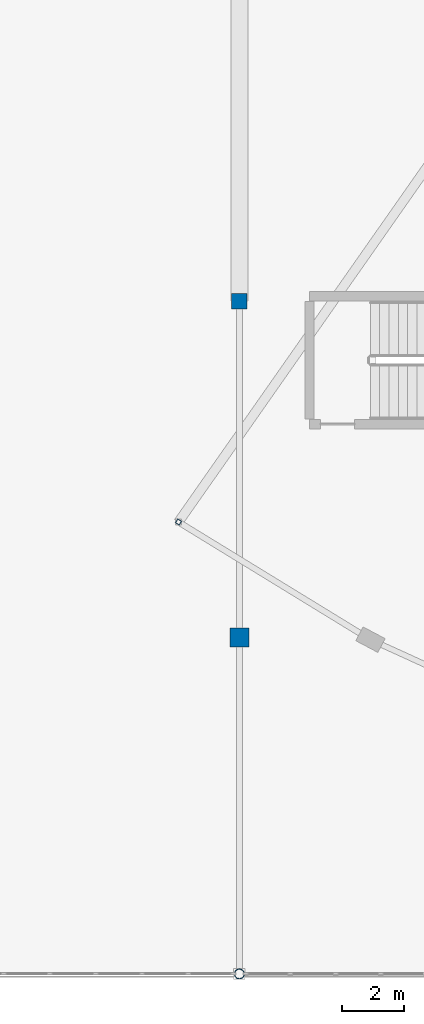
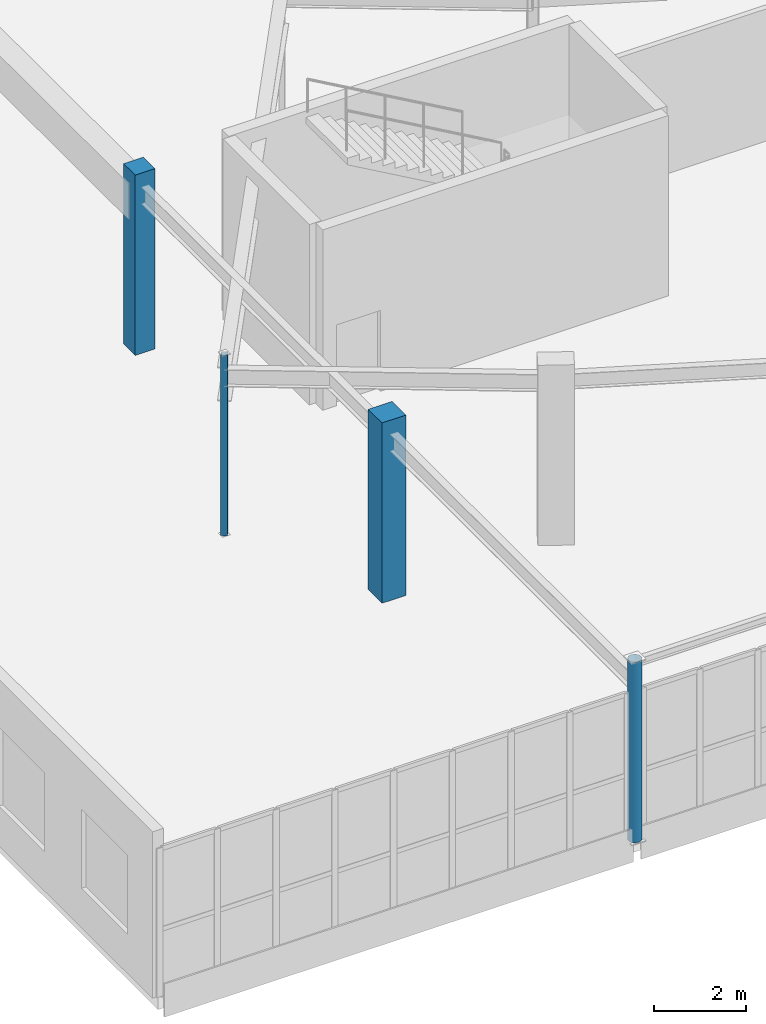
# One storey, part 1 of 186: 4 columns.
"""IFC4 building model written with IfcOpenShell, lengths in metres."""

from ifc_helpers import new_model, si_unit, direction, frame, origin, origin_2d, place, context, subcontext, project, spatial, rectangle, hollow_rectangle, hollow_circle, extrude, material, material_profile, profile_set, type_object, element, save


model = new_model("IFC4")

# Units and contexts
model_context = context("Model", 3, precision=1e-05, world=origin(), true_north=direction((0.0, 1.0)))
body_context = subcontext(model_context, "Body", "Model", "MODEL_VIEW")
ifc_project = project(units=[si_unit("LENGTHUNIT", "METRE"), si_unit("AREAUNIT", "SQUARE_METRE"), si_unit("VOLUMEUNIT", "CUBIC_METRE"), si_unit("PLANEANGLEUNIT", "RADIAN"), si_unit("MASSUNIT", "GRAM", prefix="KILO")], contexts=[model_context])

# Site, building, storey
site_placement = place(None, origin())
site = spatial("IfcSite", under=ifc_project, at=site_placement, CompositionType="ELEMENT")
building_placement = place(site_placement, origin())
building = spatial("IfcBuilding", under=site, at=building_placement, Name="Tarnwether General Hospital", CompositionType="ELEMENT")
storey_placement = place(building_placement, frame((0.0, 0.0, 9.60009765625)))
storey = spatial("IfcBuildingStorey", under=building, at=storey_placement, Name="L02", CompositionType="ELEMENT", Elevation=9.60009765625)

# Columns
ifc_material_1 = material(Name="Concrete 50 MPa", Category="concrete")
ifc_material_profile_1 = material_profile(ifc_material_1, rectangle(XDim=0.60009765625, YDim=0.60009765625, at=origin_2d()), Name="RC-COL-600x600")
ifc_profile_set_1 = profile_set([ifc_material_profile_1], Name="Concrete 50 MPa")
column_type_1 = type_object("IfcColumnType", Name="COL-19", PredefinedType="COLUMN", material=ifc_profile_set_1)
column_1_placement = place(storey_placement, frame((60.0, 10.800048828125, 0.0), z_axis=(0.0, 0.0, 1.0), x_axis=(0.0, 1.0, 0.0)))
element("IfcColumn", 1, at=column_1_placement, inside=storey, type_object=column_type_1, Name="Column COLG-L02-6000_1080", PredefinedType="COLUMN", context=body_context, shape_type="SweptSolid", body=[
    extrude(rectangle(XDim=0.60009765625, YDim=0.60009765625, at=origin_2d()), origin(), (0.0, 0.0, 1.0), 4.7998046875),
])
ifc_material_2 = material(Name="Concrete 50 MPa", Category="concrete")
ifc_material_profile_2 = material_profile(ifc_material_2, rectangle(XDim=0.5, YDim=0.5, at=origin_2d()), Name="RC-COL-500x500")
ifc_profile_set_2 = profile_set([ifc_material_profile_2], Name="Concrete 50 MPa")
column_type_2 = type_object("IfcColumnType", Name="COL-20", PredefinedType="COLUMN", material=ifc_profile_set_2)
column_2_placement = place(storey_placement, frame((60.0, 21.60009765625, 0.0), z_axis=(0.0, 0.0, 1.0), x_axis=(0.0, 1.0, 0.0)))
element("IfcColumn", 2, at=column_2_placement, inside=storey, type_object=column_type_2, Name="Column COLG-L02-6000_2160", PredefinedType="COLUMN", context=body_context, shape_type="SweptSolid", body=[
    extrude(rectangle(XDim=0.5, YDim=0.5, at=origin_2d()), origin(), (0.0, 0.0, 1.0), 4.7998046875),
])
ifc_material_3 = material(Name="Steel Grade C350L0 (350 MPa)", Category="steel")
ifc_material_profile_3 = material_profile(ifc_material_3, hollow_circle(Radius=0.161865234375, WallThickness=0.0126953125, at=origin_2d()), Name="CHS323.9x12.7")
ifc_profile_set_3 = profile_set([ifc_material_profile_3], Name="Steel Grade C350L0 (350 MPa)")
column_type_3 = type_object("IfcColumnType", Name="COL-26", PredefinedType="COLUMN", material=ifc_profile_set_3)
column_3_placement = place(storey_placement, frame((60.0, 0.0, 0.0), z_axis=(0.0, 0.0, 1.0), x_axis=(0.0, 1.0, 0.0)))
element("IfcColumn", 3, at=column_3_placement, inside=storey, type_object=column_type_3, Name="Column COLG-L02-6000_0", PredefinedType="COLUMN", context=body_context, shape_type="SweptSolid", body=[
    extrude(hollow_circle(Radius=0.161865234375, WallThickness=0.0126953125, at=origin_2d()), origin(), (0.0, 0.0, 1.0), 4.7998046875),
])
ifc_material_4 = material(Name="Steel Grade C350L0 (350 MPa)", Category="steel")
ifc_material_profile_4 = material_profile(ifc_material_4, hollow_rectangle(XDim=0.14990234375, YDim=0.14990234375, WallThickness=0.008056640625, at=origin_2d()), Name="SHS150x150x8")
ifc_profile_set_4 = profile_set([ifc_material_profile_4], Name="Steel Grade C350L0 (350 MPa)")
column_type_4 = type_object("IfcColumnType", Name="COL-33", PredefinedType="COLUMN", material=ifc_profile_set_4)
column_4_placement = place(storey_placement, frame((58.0439453125, 14.506103515625, 0.0), z_axis=(0.0, 0.0, 1.0), x_axis=(0.573576436351, 0.819152044289, 0.0)))
element("IfcColumn", 4, at=column_4_placement, inside=storey, type_object=column_type_4, Name="Column COLG-L02-5804_1451", PredefinedType="COLUMN", context=body_context, shape_type="SweptSolid", body=[
    extrude(hollow_rectangle(XDim=0.14990234375, YDim=0.14990234375, WallThickness=0.008056640625, at=origin_2d()), origin(), (0.0, 0.0, 1.0), 4.7998046875),
])

save(model, "model.ifc")
